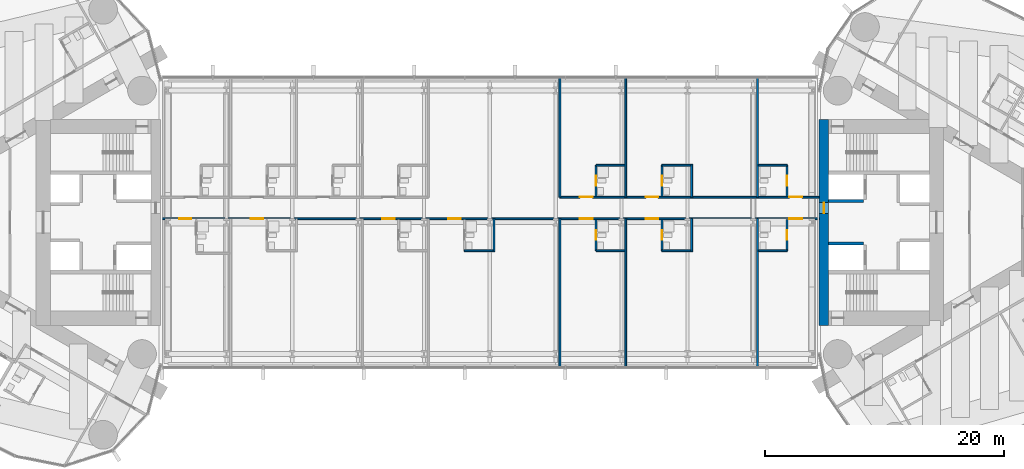
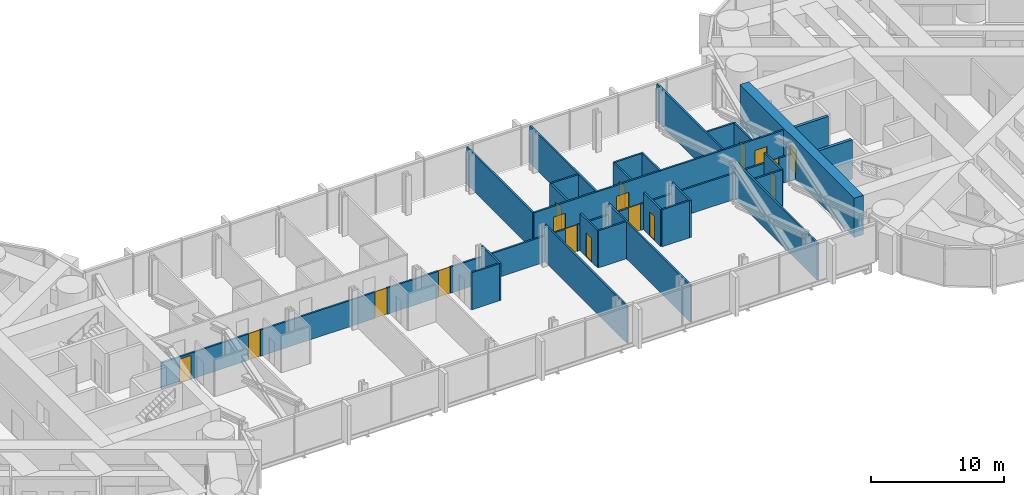
# One storey, part 17 of 22: 27 walls, 17 doors, 17 openings.
"""IFC4 building model written with IfcOpenShell, lengths in metres."""

from ifc_helpers import new_model, si_unit, direction, frame, frame_2d, origin, place, context, subcontext, project, spatial, rectangle, extrude, material, layer, layer_set, type_object, element, fill, save


model = new_model("IFC4")

# Units and contexts
model_context = context("Model", 3, precision=1e-05, world=origin(), true_north=direction((0.0, 1.0)))
body_context = subcontext(model_context, "Body", "Model", "MODEL_VIEW")
ifc_project = project(units=[si_unit("LENGTHUNIT", "METRE"), si_unit("AREAUNIT", "SQUARE_METRE"), si_unit("VOLUMEUNIT", "CUBIC_METRE"), si_unit("PLANEANGLEUNIT", "RADIAN"), si_unit("MASSUNIT", "GRAM", prefix="KILO")], contexts=[model_context])

# Site, building, storey
site_placement = place(None, origin())
site = spatial("IfcSite", under=ifc_project, at=site_placement, CompositionType="ELEMENT")
building_placement = place(site_placement, origin())
building = spatial("IfcBuilding", under=site, at=building_placement, Name="Lancet Gate Hotel", CompositionType="ELEMENT")
storey_placement = place(building_placement, frame((0.0, 0.0, 233.300048828125)))
storey = spatial("IfcBuildingStorey", under=building, at=storey_placement, Name="L62", CompositionType="ELEMENT", Elevation=233.300048828125)

# Walls
ifc_material_1 = material(Name="Moisture resistant board partition")
ifc_layer_1 = layer(ifc_material_1, 0.14990234375)
ifc_layer_set_1 = layer_set([ifc_layer_1], Name="Bathroom wall 150")
wall_type_1 = type_object("IfcWallType", Name="Bathroom wall 150", PredefinedType="PARTITIONING", material=ifc_layer_set_1)
for number, where, z_axis, x_axis, name in (
    (1, (-2.125, -2.375, 0.0), (0.0, 0.0, 1.0), (1.0, 0.0, 0.0), "Bridge block bathroom wall 150 L62"),
    (2, (8.875, -2.375, 0.0), (0.0, 0.0, 1.0), (1.0, 0.0, 0.0), "Bridge block bathroom wall 150 L62"),
):
    element("IfcWall", number, at=place(storey_placement, frame(where, z_axis=z_axis, x_axis=x_axis)), inside=storey, type_object=wall_type_1, Name=name, PredefinedType="PARTITIONING", context=body_context, shape_type="SweptSolid", body=[
        extrude(rectangle(XDim=2.39990234375, YDim=0.14990234375, at=frame_2d((1.199951171875, 0.0))), origin(), (0.0, 0.0, 1.0), 3.39990234375),
    ])

# Wall, opening, door
wall_1_placement = place(storey_placement, frame((8.875, -2.375, 0.0), z_axis=(0.0, 0.0, 1.0), x_axis=(0.0, 1.0, 0.0)))
wall_1 = element("IfcWall", 3, at=wall_1_placement, inside=storey, type_object=wall_type_1, Name="Bridge block bathroom wall 150 L62", PredefinedType="PARTITIONING", context=body_context, shape_type="SweptSolid", body=[
    extrude(rectangle(XDim=2.60009765625, YDim=0.14990234375, at=frame_2d((1.300048828125, 0.0))), origin(), (0.0, 0.0, 1.0), 3.39990234375),
])
opening_1_placement = place(wall_1_placement, frame((0.89990234375, 0.0, 0.0)))
opening_1 = element("IfcOpeningElement", 4, at=opening_1_placement, cuts=wall_1, Name="Opening B6207-B", PredefinedType="OPENING", context=body_context, shape_type="SweptSolid", body=[
    extrude(rectangle(XDim=0.800048828125, YDim=2.199951171875, at=frame_2d((0.39990234375, 1.10009765625))), frame((0.0, 0.0849609375, 0.0), z_axis=(0.0, -1.0, 0.0), x_axis=(1.0, 0.0, 0.0)), (0.0, 0.0, 1.0), 0.169921875),
])
ifc_material_2 = material(Name="Timber door set", Category="wood")
door_type_1 = type_object("IfcDoorType", Name="Bathroom door 800", OperationType="SINGLE_SWING_RIGHT", PredefinedType="DOOR", material=ifc_material_2)
door_1_placement = place(opening_1_placement, origin())
door_1 = element("IfcDoor", 5, at=door_1_placement, inside=storey, type_object=door_type_1, Name="B6207-B", OperationType="SINGLE_SWING_RIGHT", OverallHeight=2.199951171875, OverallWidth=0.800048828125, PredefinedType="DOOR", context=body_context, shape_type="SweptSolid", body=[
    extrude(rectangle(XDim=0.800048828125, YDim=2.199951171875, at=frame_2d((0.39990234375, 1.10009765625))), frame((0.0, 0.02490234375, 0.0), z_axis=(0.0, -1.0, 0.0), x_axis=(1.0, 0.0, 0.0)), (0.0, 0.0, 1.0), 0.050048828125),
])
fill(opening_1, door_1)

# Wall
wall_2_placement = place(storey_placement, frame((14.375, -2.375, 0.0), z_axis=(0.0, 0.0, 1.0), x_axis=(1.0, 0.0, 0.0)))
element("IfcWall", 6, at=wall_2_placement, inside=storey, type_object=wall_type_1, Name="Bridge block bathroom wall 150 L62", PredefinedType="PARTITIONING", context=body_context, shape_type="SweptSolid", body=[
    extrude(rectangle(XDim=2.39990234375, YDim=0.14990234375, at=frame_2d((1.199951171875, 0.0))), origin(), (0.0, 0.0, 1.0), 3.39990234375),
])

# Wall, opening, door
wall_3_placement = place(storey_placement, frame((14.375, -2.375, 0.0), z_axis=(0.0, 0.0, 1.0), x_axis=(0.0, 1.0, 0.0)))
wall_3 = element("IfcWall", 7, at=wall_3_placement, inside=storey, type_object=wall_type_1, Name="Bridge block bathroom wall 150 L62", PredefinedType="PARTITIONING", context=body_context, shape_type="SweptSolid", body=[
    extrude(rectangle(XDim=2.60009765625, YDim=0.14990234375, at=frame_2d((1.300048828125, 0.0))), origin(), (0.0, 0.0, 1.0), 3.39990234375),
])
opening_2_placement = place(wall_3_placement, frame((0.89990234375, 0.0, 0.0)))
opening_2 = element("IfcOpeningElement", 8, at=opening_2_placement, cuts=wall_3, Name="Opening B6208-B", PredefinedType="OPENING", context=body_context, shape_type="SweptSolid", body=[
    extrude(rectangle(XDim=0.800048828125, YDim=2.199951171875, at=frame_2d((0.39990234375, 1.10009765625))), frame((0.0, 0.0849609375, 0.0), z_axis=(0.0, -1.0, 0.0), x_axis=(1.0, 0.0, 0.0)), (0.0, 0.0, 1.0), 0.169921875),
])
door_2_placement = place(opening_2_placement, origin())
door_2 = element("IfcDoor", 9, at=door_2_placement, inside=storey, type_object=door_type_1, Name="B6208-B", OperationType="SINGLE_SWING_RIGHT", OverallHeight=2.199951171875, OverallWidth=0.800048828125, PredefinedType="DOOR", context=body_context, shape_type="SweptSolid", body=[
    extrude(rectangle(XDim=0.800048828125, YDim=2.199951171875, at=frame_2d((0.39990234375, 1.10009765625))), frame((0.0, 0.02490234375, 0.0), z_axis=(0.0, -1.0, 0.0), x_axis=(1.0, 0.0, 0.0)), (0.0, 0.0, 1.0), 0.050048828125),
])
fill(opening_2, door_2)

# Wall
wall_4_placement = place(storey_placement, frame((22.425048828125, -2.375, 0.0), z_axis=(0.0, 0.0, 1.0), x_axis=(1.0, 0.0, 0.0)))
element("IfcWall", 10, at=wall_4_placement, inside=storey, type_object=wall_type_1, Name="Bridge block bathroom wall 150 L62", PredefinedType="PARTITIONING", context=body_context, shape_type="SweptSolid", body=[
    extrude(rectangle(XDim=2.39990234375, YDim=0.14990234375, at=frame_2d((1.199951171875, 0.0))), origin(), (0.0, 0.0, 1.0), 3.39990234375),
])

# Wall, opening, door
wall_5_placement = place(storey_placement, frame((24.824951171875, -2.375, 0.0), z_axis=(0.0, 0.0, 1.0), x_axis=(0.0, 1.0, 0.0)))
wall_5 = element("IfcWall", 11, at=wall_5_placement, inside=storey, type_object=wall_type_1, Name="Bridge block bathroom wall 150 L62", PredefinedType="PARTITIONING", context=body_context, shape_type="SweptSolid", body=[
    extrude(rectangle(XDim=2.60009765625, YDim=0.14990234375, at=frame_2d((1.300048828125, 0.0))), origin(), (0.0, 0.0, 1.0), 3.39990234375),
])
opening_3_placement = place(wall_5_placement, frame((0.89990234375, 0.0, 0.0)))
opening_3 = element("IfcOpeningElement", 12, at=opening_3_placement, cuts=wall_5, Name="Opening B6210-B", PredefinedType="OPENING", context=body_context, shape_type="SweptSolid", body=[
    extrude(rectangle(XDim=0.800048828125, YDim=2.199951171875, at=frame_2d((0.39990234375, 1.10009765625))), frame((0.0, 0.0849609375, 0.0), z_axis=(0.0, -1.0, 0.0), x_axis=(1.0, 0.0, 0.0)), (0.0, 0.0, 1.0), 0.169921875),
])
door_3_placement = place(opening_3_placement, origin())
door_3 = element("IfcDoor", 13, at=door_3_placement, inside=storey, type_object=door_type_1, Name="B6210-B", OperationType="SINGLE_SWING_RIGHT", OverallHeight=2.199951171875, OverallWidth=0.800048828125, PredefinedType="DOOR", context=body_context, shape_type="SweptSolid", body=[
    extrude(rectangle(XDim=0.800048828125, YDim=2.199951171875, at=frame_2d((0.39990234375, 1.10009765625))), frame((0.0, 0.02490234375, 0.0), z_axis=(0.0, -1.0, 0.0), x_axis=(1.0, 0.0, 0.0)), (0.0, 0.0, 1.0), 0.050048828125),
])
fill(opening_3, door_3)

# Wall
wall_6_placement = place(storey_placement, frame((8.875, 4.77490234375, 0.0), z_axis=(0.0, 0.0, 1.0), x_axis=(1.0, 0.0, 0.0)))
element("IfcWall", 14, at=wall_6_placement, inside=storey, type_object=wall_type_1, Name="Bridge block bathroom wall 150 L62", PredefinedType="PARTITIONING", context=body_context, shape_type="SweptSolid", body=[
    extrude(rectangle(XDim=2.39990234375, YDim=0.14990234375, at=frame_2d((1.199951171875, 0.0))), origin(), (0.0, 0.0, 1.0), 3.39990234375),
])

# Wall, opening, door
wall_7_placement = place(storey_placement, frame((8.875, 2.175048828125, 0.0), z_axis=(0.0, 0.0, 1.0), x_axis=(0.0, 1.0, 0.0)))
wall_7 = element("IfcWall", 15, at=wall_7_placement, inside=storey, type_object=wall_type_1, Name="Bridge block bathroom wall 150 L62", PredefinedType="PARTITIONING", context=body_context, shape_type="SweptSolid", body=[
    extrude(rectangle(XDim=2.599853515625, YDim=0.14990234375, at=frame_2d((1.2998046875, 0.0))), origin(), (0.0, 0.0, 1.0), 3.39990234375),
])
opening_4_placement = place(wall_7_placement, frame((0.89990234375, 0.0, 0.0)))
opening_4 = element("IfcOpeningElement", 16, at=opening_4_placement, cuts=wall_7, Name="Opening B6217-B", PredefinedType="OPENING", context=body_context, shape_type="SweptSolid", body=[
    extrude(rectangle(XDim=0.800048828125, YDim=2.199951171875, at=frame_2d((0.39990234375, 1.10009765625))), frame((0.0, 0.0849609375, 0.0), z_axis=(0.0, -1.0, 0.0), x_axis=(1.0, 0.0, 0.0)), (0.0, 0.0, 1.0), 0.169921875),
])
door_4_placement = place(opening_4_placement, origin())
door_4 = element("IfcDoor", 17, at=door_4_placement, inside=storey, type_object=door_type_1, Name="B6217-B", OperationType="SINGLE_SWING_RIGHT", OverallHeight=2.199951171875, OverallWidth=0.800048828125, PredefinedType="DOOR", context=body_context, shape_type="SweptSolid", body=[
    extrude(rectangle(XDim=0.800048828125, YDim=2.199951171875, at=frame_2d((0.39990234375, 1.10009765625))), frame((0.0, 0.02490234375, 0.0), z_axis=(0.0, -1.0, 0.0), x_axis=(1.0, 0.0, 0.0)), (0.0, 0.0, 1.0), 0.050048828125),
])
fill(opening_4, door_4)

# Wall
wall_8_placement = place(storey_placement, frame((14.375, 4.77490234375, 0.0), z_axis=(0.0, 0.0, 1.0), x_axis=(1.0, 0.0, 0.0)))
element("IfcWall", 18, at=wall_8_placement, inside=storey, type_object=wall_type_1, Name="Bridge block bathroom wall 150 L62", PredefinedType="PARTITIONING", context=body_context, shape_type="SweptSolid", body=[
    extrude(rectangle(XDim=2.39990234375, YDim=0.14990234375, at=frame_2d((1.199951171875, 0.0))), origin(), (0.0, 0.0, 1.0), 3.39990234375),
])

# Wall, opening, door
wall_9_placement = place(storey_placement, frame((14.375, 2.175048828125, 0.0), z_axis=(0.0, 0.0, 1.0), x_axis=(0.0, 1.0, 0.0)))
wall_9 = element("IfcWall", 19, at=wall_9_placement, inside=storey, type_object=wall_type_1, Name="Bridge block bathroom wall 150 L62", PredefinedType="PARTITIONING", context=body_context, shape_type="SweptSolid", body=[
    extrude(rectangle(XDim=2.599853515625, YDim=0.14990234375, at=frame_2d((1.2998046875, 0.0))), origin(), (0.0, 0.0, 1.0), 3.39990234375),
])
opening_5_placement = place(wall_9_placement, frame((0.89990234375, 0.0, 0.0)))
opening_5 = element("IfcOpeningElement", 20, at=opening_5_placement, cuts=wall_9, Name="Opening B6218-B", PredefinedType="OPENING", context=body_context, shape_type="SweptSolid", body=[
    extrude(rectangle(XDim=0.800048828125, YDim=2.199951171875, at=frame_2d((0.39990234375, 1.10009765625))), frame((0.0, 0.0849609375, 0.0), z_axis=(0.0, -1.0, 0.0), x_axis=(1.0, 0.0, 0.0)), (0.0, 0.0, 1.0), 0.169921875),
])
door_5_placement = place(opening_5_placement, origin())
door_5 = element("IfcDoor", 21, at=door_5_placement, inside=storey, type_object=door_type_1, Name="B6218-B", OperationType="SINGLE_SWING_RIGHT", OverallHeight=2.199951171875, OverallWidth=0.800048828125, PredefinedType="DOOR", context=body_context, shape_type="SweptSolid", body=[
    extrude(rectangle(XDim=0.800048828125, YDim=2.199951171875, at=frame_2d((0.39990234375, 1.10009765625))), frame((0.0, 0.02490234375, 0.0), z_axis=(0.0, -1.0, 0.0), x_axis=(1.0, 0.0, 0.0)), (0.0, 0.0, 1.0), 0.050048828125),
])
fill(opening_5, door_5)

# Wall
wall_10_placement = place(storey_placement, frame((22.425048828125, 4.77490234375, 0.0), z_axis=(0.0, 0.0, 1.0), x_axis=(1.0, 0.0, 0.0)))
element("IfcWall", 22, at=wall_10_placement, inside=storey, type_object=wall_type_1, Name="Bridge block bathroom wall 150 L62", PredefinedType="PARTITIONING", context=body_context, shape_type="SweptSolid", body=[
    extrude(rectangle(XDim=2.39990234375, YDim=0.14990234375, at=frame_2d((1.199951171875, 0.0))), origin(), (0.0, 0.0, 1.0), 3.39990234375),
])

# Wall, opening, door
wall_11_placement = place(storey_placement, frame((24.824951171875, 2.175048828125, 0.0), z_axis=(0.0, 0.0, 1.0), x_axis=(0.0, 1.0, 0.0)))
wall_11 = element("IfcWall", 23, at=wall_11_placement, inside=storey, type_object=wall_type_1, Name="Bridge block bathroom wall 150 L62", PredefinedType="PARTITIONING", context=body_context, shape_type="SweptSolid", body=[
    extrude(rectangle(XDim=2.599853515625, YDim=0.14990234375, at=frame_2d((1.2998046875, 0.0))), origin(), (0.0, 0.0, 1.0), 3.39990234375),
])
opening_6_placement = place(wall_11_placement, frame((0.89990234375, 0.0, 0.0)))
opening_6 = element("IfcOpeningElement", 24, at=opening_6_placement, cuts=wall_11, Name="Opening B6220-B", PredefinedType="OPENING", context=body_context, shape_type="SweptSolid", body=[
    extrude(rectangle(XDim=0.800048828125, YDim=2.199951171875, at=frame_2d((0.39990234375, 1.10009765625))), frame((0.0, 0.0849609375, 0.0), z_axis=(0.0, -1.0, 0.0), x_axis=(1.0, 0.0, 0.0)), (0.0, 0.0, 1.0), 0.169921875),
])
door_6_placement = place(opening_6_placement, origin())
door_6 = element("IfcDoor", 25, at=door_6_placement, inside=storey, type_object=door_type_1, Name="B6220-B", OperationType="SINGLE_SWING_RIGHT", OverallHeight=2.199951171875, OverallWidth=0.800048828125, PredefinedType="DOOR", context=body_context, shape_type="SweptSolid", body=[
    extrude(rectangle(XDim=0.800048828125, YDim=2.199951171875, at=frame_2d((0.39990234375, 1.10009765625))), frame((0.0, 0.02490234375, 0.0), z_axis=(0.0, -1.0, 0.0), x_axis=(1.0, 0.0, 0.0)), (0.0, 0.0, 1.0), 0.050048828125),
])
fill(opening_6, door_6)

# Wall, openings, doors
ifc_material_3 = material(Name="Gypsum board partition")
ifc_layer_2 = layer(ifc_material_3, 0.14990234375)
ifc_layer_set_2 = layer_set([ifc_layer_2], Name="Block corridor wall 150")
wall_type_2 = type_object("IfcWallType", Name="Block corridor wall 150", PredefinedType="PARTITIONING", material=ifc_layer_set_2)
wall_12_placement = place(storey_placement, frame((-27.5, 0.300048828125, 0.0), z_axis=(0.0, 0.0, 1.0), x_axis=(1.0, 0.0, 0.0)))
wall_12 = element("IfcWall", 26, at=wall_12_placement, inside=storey, type_object=wall_type_2, Name="Bridge block block corridor wall 150 L62", PredefinedType="PARTITIONING", context=body_context, shape_type="SweptSolid", body=[
    extrude(rectangle(XDim=55.0, YDim=0.14990234375, at=frame_2d((27.5, 0.0))), origin(), (0.0, 0.0, 1.0), 2.39990234375),
])
opening_7_placement = place(wall_12_placement, frame((1.574951171875, 0.0, 0.0)))
opening_7 = element("IfcOpeningElement", 27, at=opening_7_placement, cuts=wall_12, Name="Opening B6201", PredefinedType="OPENING", context=body_context, shape_type="SweptSolid", body=[
    extrude(rectangle(XDim=1.0, YDim=2.199951171875, at=frame_2d((0.5, 1.10009765625))), frame((0.0, 0.0849609375, 0.0), z_axis=(0.0, -1.0, 0.0), x_axis=(1.0, 0.0, 0.0)), (0.0, 0.0, 1.0), 0.169921875),
])
opening_8_placement = place(wall_12_placement, frame((7.52490234375, 0.0, 0.0)))
opening_8 = element("IfcOpeningElement", 28, at=opening_8_placement, cuts=wall_12, Name="Opening B6202", PredefinedType="OPENING", context=body_context, shape_type="SweptSolid", body=[
    extrude(rectangle(XDim=1.050048828125, YDim=2.39990234375, at=frame_2d((0.52490234375, 1.199951171875))), frame((0.0, 0.0849609375, 0.0), z_axis=(0.0, -1.0, 0.0), x_axis=(1.0, 0.0, 0.0)), (0.0, 0.0, 1.0), 0.169921875),
])
opening_9_placement = place(wall_12_placement, frame((18.52490234375, 0.0, 0.0)))
opening_9 = element("IfcOpeningElement", 29, at=opening_9_placement, cuts=wall_12, Name="Opening B6204", PredefinedType="OPENING", context=body_context, shape_type="SweptSolid", body=[
    extrude(rectangle(XDim=1.050048828125, YDim=2.39990234375, at=frame_2d((0.52490234375, 1.199951171875))), frame((0.0, 0.0849609375, 0.0), z_axis=(0.0, -1.0, 0.0), x_axis=(1.0, 0.0, 0.0)), (0.0, 0.0, 1.0), 0.169921875),
])
opening_10_placement = place(wall_12_placement, frame((24.02490234375, 0.0, 0.0)))
opening_10 = element("IfcOpeningElement", 30, at=opening_10_placement, cuts=wall_12, Name="Opening B6205", PredefinedType="OPENING", context=body_context, shape_type="SweptSolid", body=[
    extrude(rectangle(XDim=1.050048828125, YDim=2.39990234375, at=frame_2d((0.52490234375, 1.199951171875))), frame((0.0, 0.0849609375, 0.0), z_axis=(0.0, -1.0, 0.0), x_axis=(1.0, 0.0, 0.0)), (0.0, 0.0, 1.0), 0.169921875),
])
opening_11_placement = place(wall_12_placement, frame((35.02490234375, 0.0, 0.0)))
opening_11 = element("IfcOpeningElement", 31, at=opening_11_placement, cuts=wall_12, Name="Opening B6207", PredefinedType="OPENING", context=body_context, shape_type="SweptSolid", body=[
    extrude(rectangle(XDim=1.050048828125, YDim=2.39990234375, at=frame_2d((0.52490234375, 1.199951171875))), frame((0.0, 0.0849609375, 0.0), z_axis=(0.0, -1.0, 0.0), x_axis=(1.0, 0.0, 0.0)), (0.0, 0.0, 1.0), 0.169921875),
])
opening_12_placement = place(wall_12_placement, frame((40.52490234375, 0.0, 0.0)))
opening_12 = element("IfcOpeningElement", 32, at=opening_12_placement, cuts=wall_12, Name="Opening B6208", PredefinedType="OPENING", context=body_context, shape_type="SweptSolid", body=[
    extrude(rectangle(XDim=1.050048828125, YDim=2.39990234375, at=frame_2d((0.52490234375, 1.199951171875))), frame((0.0, 0.0849609375, 0.0), z_axis=(0.0, -1.0, 0.0), x_axis=(1.0, 0.0, 0.0)), (0.0, 0.0, 1.0), 0.169921875),
])
opening_13_placement = place(wall_12_placement, frame((52.52490234375, 0.0, 0.0)))
opening_13 = element("IfcOpeningElement", 33, at=opening_13_placement, cuts=wall_12, Name="Opening B6210", PredefinedType="OPENING", context=body_context, shape_type="SweptSolid", body=[
    extrude(rectangle(XDim=1.050048828125, YDim=2.39990234375, at=frame_2d((0.52490234375, 1.199951171875))), frame((0.0, 0.0849609375, 0.0), z_axis=(0.0, -1.0, 0.0), x_axis=(1.0, 0.0, 0.0)), (0.0, 0.0, 1.0), 0.169921875),
])
ifc_material_4 = material(Name="Timber door set", Category="wood")
door_type_2 = type_object("IfcDoorType", Name="Accessible guest room door 1000", OperationType="SINGLE_SWING_LEFT", PredefinedType="DOOR", material=ifc_material_4)
door_7_placement = place(opening_7_placement, origin())
door_7 = element("IfcDoor", 34, at=door_7_placement, inside=storey, type_object=door_type_2, Name="B6201", OperationType="SINGLE_SWING_LEFT", OverallHeight=2.199951171875, OverallWidth=1.0, PredefinedType="DOOR", context=body_context, shape_type="SweptSolid", body=[
    extrude(rectangle(XDim=1.0, YDim=2.199951171875, at=frame_2d((0.5, 1.10009765625))), frame((0.0, 0.02490234375, 0.0), z_axis=(0.0, -1.0, 0.0), x_axis=(1.0, 0.0, 0.0)), (0.0, 0.0, 1.0), 0.050048828125),
])
fill(opening_7, door_7)
ifc_material_5 = material(Name="Timber door set", Category="wood")
door_type_3 = type_object("IfcDoorType", Name="Suite entry door 1050", OperationType="SINGLE_SWING_LEFT", PredefinedType="DOOR", material=ifc_material_5)
door_8_placement = place(opening_8_placement, origin())
door_8 = element("IfcDoor", 35, at=door_8_placement, inside=storey, type_object=door_type_3, Name="B6202", OperationType="SINGLE_SWING_LEFT", OverallHeight=2.39990234375, OverallWidth=1.050048828125, PredefinedType="DOOR", context=body_context, shape_type="SweptSolid", body=[
    extrude(rectangle(XDim=1.050048828125, YDim=2.39990234375, at=frame_2d((0.52490234375, 1.199951171875))), frame((0.0, 0.02490234375, 0.0), z_axis=(0.0, -1.0, 0.0), x_axis=(1.0, 0.0, 0.0)), (0.0, 0.0, 1.0), 0.050048828125),
])
fill(opening_8, door_8)
door_9_placement = place(opening_9_placement, origin())
door_9 = element("IfcDoor", 36, at=door_9_placement, inside=storey, type_object=door_type_3, Name="B6204", OperationType="SINGLE_SWING_LEFT", OverallHeight=2.39990234375, OverallWidth=1.050048828125, PredefinedType="DOOR", context=body_context, shape_type="SweptSolid", body=[
    extrude(rectangle(XDim=1.050048828125, YDim=2.39990234375, at=frame_2d((0.52490234375, 1.199951171875))), frame((0.0, 0.02490234375, 0.0), z_axis=(0.0, -1.0, 0.0), x_axis=(1.0, 0.0, 0.0)), (0.0, 0.0, 1.0), 0.050048828125),
])
fill(opening_9, door_9)
door_10_placement = place(opening_10_placement, origin())
door_10 = element("IfcDoor", 37, at=door_10_placement, inside=storey, type_object=door_type_3, Name="B6205", OperationType="SINGLE_SWING_LEFT", OverallHeight=2.39990234375, OverallWidth=1.050048828125, PredefinedType="DOOR", context=body_context, shape_type="SweptSolid", body=[
    extrude(rectangle(XDim=1.050048828125, YDim=2.39990234375, at=frame_2d((0.52490234375, 1.199951171875))), frame((0.0, 0.02490234375, 0.0), z_axis=(0.0, -1.0, 0.0), x_axis=(1.0, 0.0, 0.0)), (0.0, 0.0, 1.0), 0.050048828125),
])
fill(opening_10, door_10)
door_11_placement = place(opening_11_placement, origin())
door_11 = element("IfcDoor", 38, at=door_11_placement, inside=storey, type_object=door_type_3, Name="B6207", OperationType="SINGLE_SWING_LEFT", OverallHeight=2.39990234375, OverallWidth=1.050048828125, PredefinedType="DOOR", context=body_context, shape_type="SweptSolid", body=[
    extrude(rectangle(XDim=1.050048828125, YDim=2.39990234375, at=frame_2d((0.52490234375, 1.199951171875))), frame((0.0, 0.02490234375, 0.0), z_axis=(0.0, -1.0, 0.0), x_axis=(1.0, 0.0, 0.0)), (0.0, 0.0, 1.0), 0.050048828125),
])
fill(opening_11, door_11)
door_12_placement = place(opening_12_placement, origin())
door_12 = element("IfcDoor", 39, at=door_12_placement, inside=storey, type_object=door_type_3, Name="B6208", OperationType="SINGLE_SWING_LEFT", OverallHeight=2.39990234375, OverallWidth=1.050048828125, PredefinedType="DOOR", context=body_context, shape_type="SweptSolid", body=[
    extrude(rectangle(XDim=1.050048828125, YDim=2.39990234375, at=frame_2d((0.52490234375, 1.199951171875))), frame((0.0, 0.02490234375, 0.0), z_axis=(0.0, -1.0, 0.0), x_axis=(1.0, 0.0, 0.0)), (0.0, 0.0, 1.0), 0.050048828125),
])
fill(opening_12, door_12)
door_13_placement = place(opening_13_placement, origin())
door_13 = element("IfcDoor", 40, at=door_13_placement, inside=storey, type_object=door_type_3, Name="B6210", OperationType="SINGLE_SWING_LEFT", OverallHeight=2.39990234375, OverallWidth=1.050048828125, PredefinedType="DOOR", context=body_context, shape_type="SweptSolid", body=[
    extrude(rectangle(XDim=1.050048828125, YDim=2.39990234375, at=frame_2d((0.52490234375, 1.199951171875))), frame((0.0, 0.02490234375, 0.0), z_axis=(0.0, -1.0, 0.0), x_axis=(1.0, 0.0, 0.0)), (0.0, 0.0, 1.0), 0.050048828125),
])
fill(opening_13, door_13)

wall_13_placement = place(storey_placement, frame((5.85009765625, 2.10009765625, 0.0), z_axis=(0.0, 0.0, 1.0), x_axis=(1.0, 0.0, 0.0)))
wall_13 = element("IfcWall", 41, at=wall_13_placement, inside=storey, type_object=wall_type_2, Name="Bridge block block corridor wall 150 L62", PredefinedType="PARTITIONING", context=body_context, shape_type="SweptSolid", body=[
    extrude(rectangle(XDim=21.64990234375, YDim=0.14990234375, at=frame_2d((10.824951171875, 0.0))), origin(), (0.0, 0.0, 1.0), 3.39990234375),
])
opening_14_placement = place(wall_13_placement, frame((1.675048828125, 0.0, 0.0)))
opening_14 = element("IfcOpeningElement", 42, at=opening_14_placement, cuts=wall_13, Name="Opening B6217", PredefinedType="OPENING", context=body_context, shape_type="SweptSolid", body=[
    extrude(rectangle(XDim=1.050048828125, YDim=2.39990234375, at=frame_2d((0.52490234375, 1.199951171875))), frame((0.0, 0.0849609375, 0.0), z_axis=(0.0, -1.0, 0.0), x_axis=(1.0, 0.0, 0.0)), (0.0, 0.0, 1.0), 0.169921875),
])
opening_15_placement = place(wall_13_placement, frame((7.175048828125, 0.0, 0.0)))
opening_15 = element("IfcOpeningElement", 43, at=opening_15_placement, cuts=wall_13, Name="Opening B6218", PredefinedType="OPENING", context=body_context, shape_type="SweptSolid", body=[
    extrude(rectangle(XDim=1.050048828125, YDim=2.39990234375, at=frame_2d((0.52490234375, 1.199951171875))), frame((0.0, 0.0849609375, 0.0), z_axis=(0.0, -1.0, 0.0), x_axis=(1.0, 0.0, 0.0)), (0.0, 0.0, 1.0), 0.169921875),
])
opening_16_placement = place(wall_13_placement, frame((19.175048828125, 0.0, 0.0)))
opening_16 = element("IfcOpeningElement", 44, at=opening_16_placement, cuts=wall_13, Name="Opening B6220", PredefinedType="OPENING", context=body_context, shape_type="SweptSolid", body=[
    extrude(rectangle(XDim=1.050048828125, YDim=2.39990234375, at=frame_2d((0.52490234375, 1.199951171875))), frame((0.0, 0.0849609375, 0.0), z_axis=(0.0, -1.0, 0.0), x_axis=(1.0, 0.0, 0.0)), (0.0, 0.0, 1.0), 0.169921875),
])
door_14_placement = place(opening_14_placement, origin())
door_14 = element("IfcDoor", 45, at=door_14_placement, inside=storey, type_object=door_type_3, Name="B6217", OperationType="SINGLE_SWING_LEFT", OverallHeight=2.39990234375, OverallWidth=1.050048828125, PredefinedType="DOOR", context=body_context, shape_type="SweptSolid", body=[
    extrude(rectangle(XDim=1.050048828125, YDim=2.39990234375, at=frame_2d((0.52490234375, 1.199951171875))), frame((0.0, 0.02490234375, 0.0), z_axis=(0.0, -1.0, 0.0), x_axis=(1.0, 0.0, 0.0)), (0.0, 0.0, 1.0), 0.050048828125),
])
fill(opening_14, door_14)
door_15_placement = place(opening_15_placement, origin())
door_15 = element("IfcDoor", 46, at=door_15_placement, inside=storey, type_object=door_type_3, Name="B6218", OperationType="SINGLE_SWING_LEFT", OverallHeight=2.39990234375, OverallWidth=1.050048828125, PredefinedType="DOOR", context=body_context, shape_type="SweptSolid", body=[
    extrude(rectangle(XDim=1.050048828125, YDim=2.39990234375, at=frame_2d((0.52490234375, 1.199951171875))), frame((0.0, 0.02490234375, 0.0), z_axis=(0.0, -1.0, 0.0), x_axis=(1.0, 0.0, 0.0)), (0.0, 0.0, 1.0), 0.050048828125),
])
fill(opening_15, door_15)
door_16_placement = place(opening_16_placement, origin())
door_16 = element("IfcDoor", 47, at=door_16_placement, inside=storey, type_object=door_type_3, Name="B6220", OperationType="SINGLE_SWING_LEFT", OverallHeight=2.39990234375, OverallWidth=1.050048828125, PredefinedType="DOOR", context=body_context, shape_type="SweptSolid", body=[
    extrude(rectangle(XDim=1.050048828125, YDim=2.39990234375, at=frame_2d((0.52490234375, 1.199951171875))), frame((0.0, 0.02490234375, 0.0), z_axis=(0.0, -1.0, 0.0), x_axis=(1.0, 0.0, 0.0)), (0.0, 0.0, 1.0), 0.050048828125),
])
fill(opening_16, door_16)

# Wall, opening, door
ifc_material_6 = material(Name="Concrete C70/85", Category="concrete")
ifc_layer_3 = layer(ifc_material_6, 0.800048828125)
ifc_layer_set_3 = layer_set([ifc_layer_3], Name="Core wall 800")
wall_type_3 = type_object("IfcWallType", Name="Core wall 800", PredefinedType="SHEAR", material=ifc_layer_set_3)
wall_14_placement = place(storey_placement, frame((27.89990234375, -8.60009765625, 0.0), z_axis=(0.0, 0.0, 1.0), x_axis=(0.0, 1.0, 0.0)))
wall_14 = element("IfcWall", 48, at=wall_14_placement, inside=storey, type_object=wall_type_3, Name="T2 core wall front L62", PredefinedType="SHEAR", context=body_context, shape_type="SweptSolid", body=[
    extrude(rectangle(XDim=17.2001953125, YDim=0.800048828125, at=frame_2d((8.60009765625, 0.0))), origin(), (0.0, 0.0, 1.0), 3.599853515625),
])
opening_17_placement = place(wall_14_placement, frame((9.35009765625, 0.0, 0.0)))
opening_17 = element("IfcOpeningElement", 49, at=opening_17_placement, cuts=wall_14, Name="Opening T2-L62-BR", PredefinedType="OPENING", context=body_context, shape_type="SweptSolid", body=[
    extrude(rectangle(XDim=0.89990234375, YDim=2.199951171875, at=frame_2d((0.449951171875, 1.10009765625))), frame((0.0, 0.409912109375, 0.0), z_axis=(0.0, -1.0, 0.0), x_axis=(1.0, 0.0, 0.0)), (0.0, 0.0, 1.0), 0.820068359375),
])
ifc_material_7 = material(Name="Steel door set", Category="steel")
door_type_4 = type_object("IfcDoorType", Name="Bridge fire door 900", OperationType="SINGLE_SWING_LEFT", PredefinedType="DOOR", material=ifc_material_7)
door_17_placement = place(opening_17_placement, origin())
door_17 = element("IfcDoor", 50, at=door_17_placement, inside=storey, type_object=door_type_4, Name="T2-L62-BR", OperationType="SINGLE_SWING_LEFT", OverallHeight=2.199951171875, OverallWidth=0.89990234375, PredefinedType="DOOR", context=body_context, shape_type="SweptSolid", body=[
    extrude(rectangle(XDim=0.89990234375, YDim=2.199951171875, at=frame_2d((0.449951171875, 1.10009765625))), frame((0.0, 0.02490234375, 0.0), z_axis=(0.0, -1.0, 0.0), x_axis=(1.0, 0.0, 0.0)), (0.0, 0.0, 1.0), 0.050048828125),
])
fill(opening_17, door_17)

# Walls
ifc_material_8 = material(Name="Concrete C50/60", Category="concrete")
ifc_layer_4 = layer(ifc_material_8, 0.25)
ifc_layer_set_4 = layer_set([ifc_layer_4], Name="Lift shaft wall 250")
wall_type_4 = type_object("IfcWallType", Name="Lift shaft wall 250", PredefinedType="SHEAR", material=ifc_layer_set_4)
for number, where, z_axis, x_axis, name in (
    (51, (28.300048828125, -1.77490234375, 0.0), (0.0, 0.0, 1.0), (1.0, 0.0, 0.0), "T2 core wall pass1-S L62"),
    (52, (28.300048828125, 1.77490234375, 0.0), (0.0, 0.0, 1.0), (1.0, 0.0, 0.0), "T2 core wall pass1-N L62"),
):
    element("IfcWall", number, at=place(storey_placement, frame(where, z_axis=z_axis, x_axis=x_axis)), inside=storey, type_object=wall_type_4, Name=name, PredefinedType="SHEAR", context=body_context, shape_type="SweptSolid", body=[
        extrude(rectangle(XDim=2.89990234375, YDim=0.25, at=frame_2d((1.449951171875, 0.0))), origin(), (0.0, 0.0, 1.0), 3.599853515625),
    ])
ifc_material_9 = material(Name="Gypsum board partition")
ifc_layer_5 = layer(ifc_material_9, 0.14990234375)
ifc_layer_set_5 = layer_set([ifc_layer_5], Name="Party wall 150")
wall_type_5 = type_object("IfcWallType", Name="Party wall 150", PredefinedType="PARTITIONING", material=ifc_layer_set_5)
for number, where, z_axis, x_axis, name in (
    (53, (5.85009765625, -12.070068359375, 0.0), (0.0, 0.0, 1.0), (0.0, 1.0, 0.0), "Bridge block party wall 150 L62"),
    (54, (11.35009765625, -12.070068359375, 0.0), (0.0, 0.0, 1.0), (0.0, 1.0, 0.0), "Bridge block party wall 150 L62"),
    (55, (22.35009765625, -12.070068359375, 0.0), (0.0, 0.0, 1.0), (0.0, 1.0, 0.0), "Bridge block party wall 150 L62"),
):
    element("IfcWall", number, at=place(storey_placement, frame(where, z_axis=z_axis, x_axis=x_axis)), inside=storey, type_object=wall_type_5, Name=name, PredefinedType="PARTITIONING", context=body_context, shape_type="SweptSolid", body=[
        extrude(rectangle(XDim=12.3701171875, YDim=0.14990234375, at=frame_2d((6.18505859375, 0.0))), origin(), (0.0, 0.0, 1.0), 3.39990234375),
    ])
for number, where, z_axis, x_axis, name in (
    (56, (5.85009765625, 2.10009765625, 0.0), (0.0, 0.0, 1.0), (0.0, 1.0, 0.0), "Bridge block party wall 150 L62"),
    (57, (11.35009765625, 2.10009765625, 0.0), (0.0, 0.0, 1.0), (0.0, 1.0, 0.0), "Bridge block party wall 150 L62"),
    (58, (22.35009765625, 2.10009765625, 0.0), (0.0, 0.0, 1.0), (0.0, 1.0, 0.0), "Bridge block party wall 150 L62"),
):
    element("IfcWall", number, at=place(storey_placement, frame(where, z_axis=z_axis, x_axis=x_axis)), inside=storey, type_object=wall_type_5, Name=name, PredefinedType="PARTITIONING", context=body_context, shape_type="SweptSolid", body=[
        extrude(rectangle(XDim=9.969970703125, YDim=0.14990234375, at=frame_2d((4.98486328125, 0.0))), origin(), (0.0, 0.0, 1.0), 3.39990234375),
    ])
for number, where, z_axis, x_axis, name in (
    (59, (0.35009765625, -2.449951171875, 0.0), (0.0, 0.0, 1.0), (0.0, 1.0, 0.0), "Bridge block party wall 150 L62"),
    (60, (16.85009765625, -2.449951171875, 0.0), (0.0, 0.0, 1.0), (0.0, 1.0, 0.0), "Bridge block party wall 150 L62"),
    (61, (16.85009765625, 2.10009765625, 0.0), (0.0, 0.0, 1.0), (0.0, 1.0, 0.0), "Bridge block party wall 150 L62"),
):
    element("IfcWall", number, at=place(storey_placement, frame(where, z_axis=z_axis, x_axis=x_axis)), inside=storey, type_object=wall_type_5, Name=name, PredefinedType="PARTITIONING", context=body_context, shape_type="SweptSolid", body=[
        extrude(rectangle(XDim=2.75, YDim=0.14990234375, at=frame_2d((1.375, 0.0))), origin(), (0.0, 0.0, 1.0), 3.39990234375),
    ])

save(model, "model.ifc")
